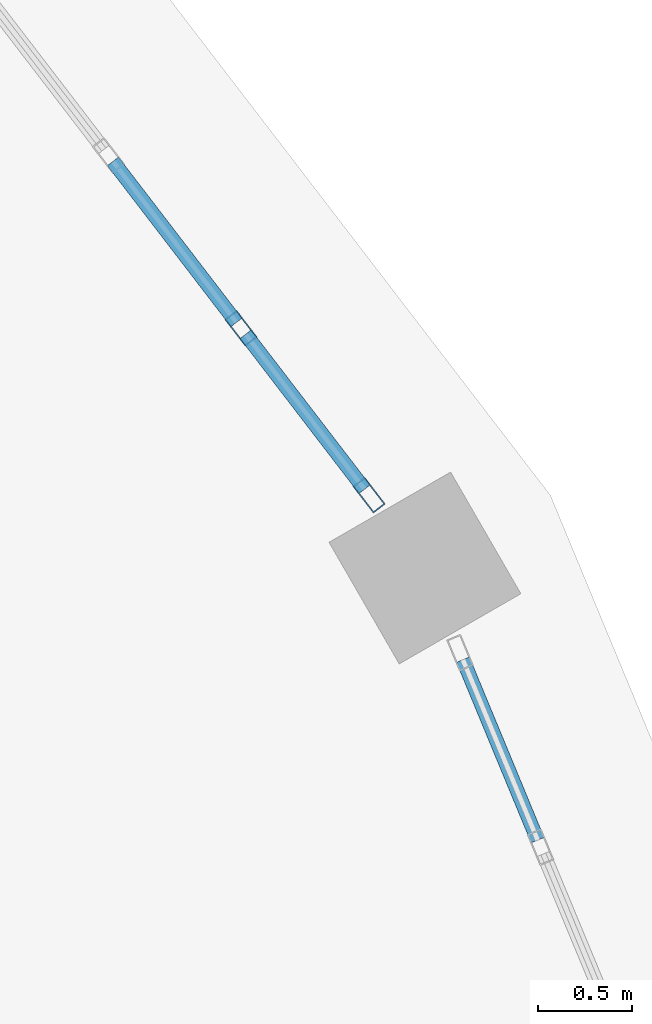
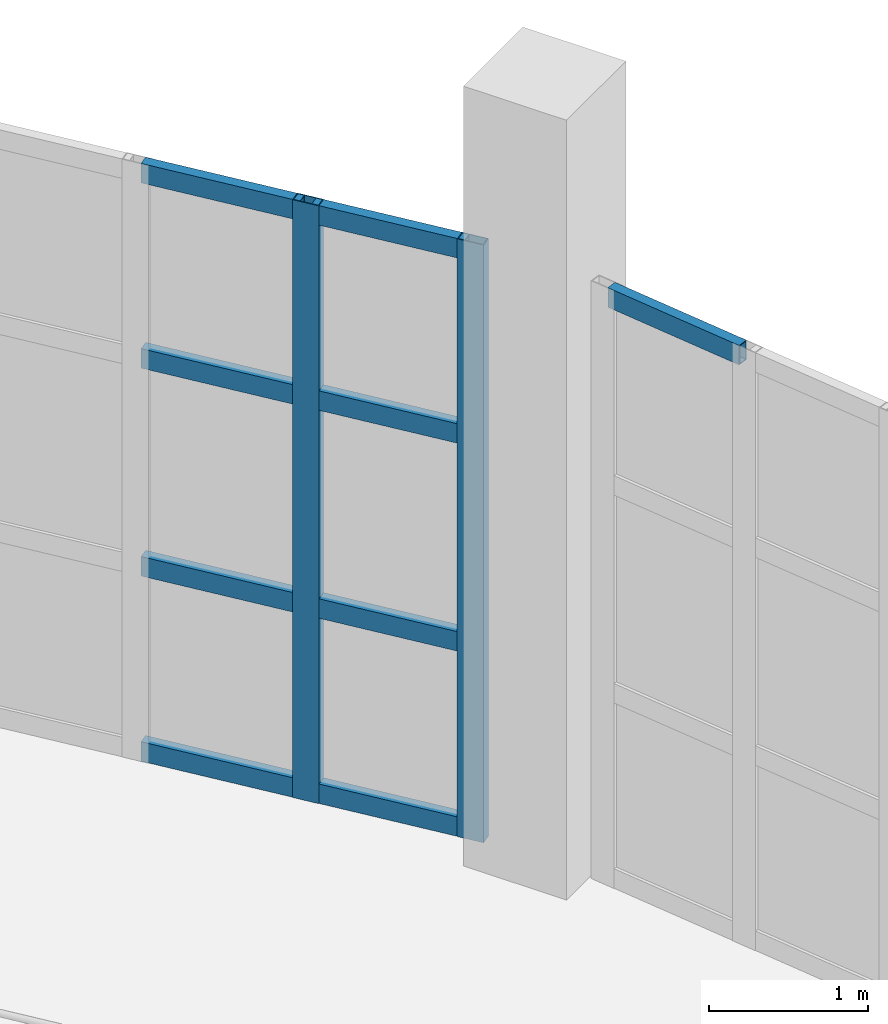
# One storey, part 33 of 59: 11 members, 2 elements without a shape of their own.
"""IFC4 building model written with IfcOpenShell, lengths in metres."""

from ifc_helpers import new_model, si_unit, direction, frame, origin, origin_2d, place, context, subcontext, project, spatial, hollow_rectangle, extrude, material, layer, layer_set, material_profile, profile_set, type_object, element, aggregate, save


model = new_model("IFC4")

# Units and contexts
model_context = context("Model", 3, precision=1e-05, world=origin(), true_north=direction((0.0, 1.0)))
body_context = subcontext(model_context, "Body", "Model", "MODEL_VIEW")
ifc_project = project(units=[si_unit("LENGTHUNIT", "METRE"), si_unit("AREAUNIT", "SQUARE_METRE"), si_unit("VOLUMEUNIT", "CUBIC_METRE"), si_unit("PLANEANGLEUNIT", "RADIAN"), si_unit("MASSUNIT", "GRAM", prefix="KILO")], contexts=[model_context])

# Site, building, storey
site_placement = place(None, origin())
site = spatial("IfcSite", under=ifc_project, at=site_placement, CompositionType="ELEMENT")
building_placement = place(site_placement, origin())
building = spatial("IfcBuilding", under=site, at=building_placement, Name="Kandorven Conservatory and Botanical Research Centre", CompositionType="ELEMENT")
storey_placement = place(building_placement, frame((0.0, 0.0, 4.800048828125)))
storey = spatial("IfcBuildingStorey", under=building, at=storey_placement, Name="L01", CompositionType="ELEMENT", Elevation=4.800048828125)

# Curtain wall, members
ifc_material_1 = material(Name="Bronze anodised thermally broken aluminium", Category="aluminium")
ifc_layer = layer(ifc_material_1, 0.179931640625)
ifc_layer_set = layer_set([ifc_layer], Name="Bronze anodised thermally broken aluminium")
curtain_wall_type = type_object("IfcCurtainWallType", Name="CW_Clerestory", PredefinedType="USERDEFINED", material=ifc_layer_set)
curtain_wall_1_placement = place(storey_placement, origin())
curtain_wall_1 = element("IfcCurtainWall", 1, at=curtain_wall_1_placement, inside=storey, type_object=curtain_wall_type, Name="Conservatory drum clerestory glazing CW-DRUM-L01-03", ObjectType="CLERESTORY GLAZING", PredefinedType="USERDEFINED")
ifc_material_2 = material(Name="Bronze anodised thermally broken aluminium", Category="aluminium")
ifc_material_profile_1 = material_profile(ifc_material_2, hollow_rectangle(XDim=0.080078125, YDim=0.179931640625, WallThickness=0.006103515625, at=origin_2d()))
ifc_profile_set_1 = profile_set([ifc_material_profile_1], Name="Bronze anodised thermally broken aluminium")
member_type_1 = type_object("IfcMemberType", Name="CW_Mullion", PredefinedType="MULLION", material=ifc_profile_set_1)
member_1_placement = place(storey_placement, frame((101.87255859375, 56.601318359375, 0.0), z_axis=(0.0, 0.0, 1.0), x_axis=(-0.793347276456, -0.608769331471, 0.0)))
member_1 = element("IfcMember", 2, at=member_1_placement, type_object=member_type_1, Name="CW-02 mullion 1", PredefinedType="MULLION", context=body_context, shape_type="SweptSolid", body=[
    extrude(hollow_rectangle(XDim=0.080078125, YDim=0.179931640625, WallThickness=0.006103515625, at=origin_2d()), origin(), (0.0, 0.0, 1.0), 4.599853515625),
])
member_2_placement = place(storey_placement, frame((101.188232421875, 57.492919921875, 0.0), z_axis=(0.0, 0.0, 1.0), x_axis=(-0.793347276456, -0.608769331471, 0.0)))
member_2 = element("IfcMember", 3, at=member_2_placement, type_object=member_type_1, Name="CW-02 mullion 2", PredefinedType="MULLION", context=body_context, shape_type="SweptSolid", body=[
    extrude(hollow_rectangle(XDim=0.080078125, YDim=0.179931640625, WallThickness=0.006103515625, at=origin_2d()), origin(), (0.0, 0.0, 1.0), 4.599853515625),
])

# Curtain wall, member
curtain_wall_2_placement = place(storey_placement, origin())
curtain_wall_2 = element("IfcCurtainWall", 4, at=curtain_wall_2_placement, inside=storey, type_object=curtain_wall_type, Name="Conservatory drum clerestory glazing CW-DRUM-L01-02", ObjectType="CLERESTORY GLAZING", PredefinedType="USERDEFINED")
ifc_material_3 = material(Name="Bronze anodised thermally broken aluminium", Category="aluminium")
ifc_material_profile_2 = material_profile(ifc_material_3, hollow_rectangle(XDim=0.074951171875, YDim=0.14990234375, WallThickness=0.006103515625, at=origin_2d()))
ifc_profile_set_2 = profile_set([ifc_material_profile_2], Name="Bronze anodised thermally broken aluminium")
member_type_2 = type_object("IfcMemberType", Name="CW_Transom", PredefinedType="USERDEFINED", material=ifc_profile_set_2)
member_3_placement = place(storey_placement, frame((102.773193359375, 54.75830078125, 4.52490234375), z_axis=(-0.382572095676, 0.923925641819, 0.0), x_axis=(-0.923925641819, -0.382572095676, 0.0)))
member_3 = element("IfcMember", 5, at=member_3_placement, type_object=member_type_2, Name="CW-02 transom 3.4", ObjectType="TRANSOM", PredefinedType="USERDEFINED", context=body_context, shape_type="SweptSolid", body=[
    extrude(hollow_rectangle(XDim=0.074951171875, YDim=0.14990234375, WallThickness=0.006103515625, at=origin_2d()), origin(), (0.0, 0.0, 1.0), 1.0439453125),
])
aggregate(curtain_wall_2, [member_3])

# Member
member_4_placement = place(storey_placement, frame((101.848388671875, 56.633056640625, 0.074951171875), z_axis=(-0.608941990108, 0.793214758236, 0.0), x_axis=(-0.793214758236, -0.608941990108, 0.0)))
member_4 = element("IfcMember", 6, at=member_4_placement, type_object=member_type_2, Name="CW-02 transom 1.1", ObjectType="TRANSOM", PredefinedType="USERDEFINED", context=body_context, shape_type="SweptSolid", body=[
    extrude(hollow_rectangle(XDim=0.074951171875, YDim=0.14990234375, WallThickness=0.006103515625, at=origin_2d()), origin(), (0.0, 0.0, 1.0), 1.0439453125),
])

member_5_placement = place(storey_placement, frame((101.848388671875, 56.633056640625, 1.5), z_axis=(-0.608941990108, 0.793214758236, 0.0), x_axis=(-0.793214758236, -0.608941990108, 0.0)))
member_5 = element("IfcMember", 7, at=member_5_placement, type_object=member_type_2, Name="CW-02 transom 1.2", ObjectType="TRANSOM", PredefinedType="USERDEFINED", context=body_context, shape_type="SweptSolid", body=[
    extrude(hollow_rectangle(XDim=0.074951171875, YDim=0.14990234375, WallThickness=0.006103515625, at=origin_2d()), origin(), (0.0, 0.0, 1.0), 1.0439453125),
])

member_6_placement = place(storey_placement, frame((101.848388671875, 56.633056640625, 3.099853515625), z_axis=(-0.608941990108, 0.793214758236, 0.0), x_axis=(-0.793214758236, -0.608941990108, 0.0)))
member_6 = element("IfcMember", 8, at=member_6_placement, type_object=member_type_2, Name="CW-02 transom 1.3", ObjectType="TRANSOM", PredefinedType="USERDEFINED", context=body_context, shape_type="SweptSolid", body=[
    extrude(hollow_rectangle(XDim=0.074951171875, YDim=0.14990234375, WallThickness=0.006103515625, at=origin_2d()), origin(), (0.0, 0.0, 1.0), 1.0439453125),
])

member_7_placement = place(storey_placement, frame((101.848388671875, 56.633056640625, 4.52490234375), z_axis=(-0.608941990108, 0.793214758236, 0.0), x_axis=(-0.793214758236, -0.608941990108, 0.0)))
member_7 = element("IfcMember", 9, at=member_7_placement, type_object=member_type_2, Name="CW-02 transom 1.4", ObjectType="TRANSOM", PredefinedType="USERDEFINED", context=body_context, shape_type="SweptSolid", body=[
    extrude(hollow_rectangle(XDim=0.074951171875, YDim=0.14990234375, WallThickness=0.006103515625, at=origin_2d()), origin(), (0.0, 0.0, 1.0), 1.0439453125),
])

member_8_placement = place(storey_placement, frame((101.1640625, 57.524658203125, 0.074951171875), z_axis=(-0.608861626468, 0.793276446023, 0.0), x_axis=(-0.793276446023, -0.608861626468, 0.0)))
member_8 = element("IfcMember", 10, at=member_8_placement, type_object=member_type_2, Name="CW-02 transom 2.1", ObjectType="TRANSOM", PredefinedType="USERDEFINED", context=body_context, shape_type="SweptSolid", body=[
    extrude(hollow_rectangle(XDim=0.074951171875, YDim=0.14990234375, WallThickness=0.006103515625, at=origin_2d()), origin(), (0.0, 0.0, 1.0), 1.084228515625),
])

member_9_placement = place(storey_placement, frame((101.1640625, 57.524658203125, 1.5), z_axis=(-0.608861626468, 0.793276446023, 0.0), x_axis=(-0.793276446023, -0.608861626468, 0.0)))
member_9 = element("IfcMember", 11, at=member_9_placement, type_object=member_type_2, Name="CW-02 transom 2.2", ObjectType="TRANSOM", PredefinedType="USERDEFINED", context=body_context, shape_type="SweptSolid", body=[
    extrude(hollow_rectangle(XDim=0.074951171875, YDim=0.14990234375, WallThickness=0.006103515625, at=origin_2d()), origin(), (0.0, 0.0, 1.0), 1.084228515625),
])

member_10_placement = place(storey_placement, frame((101.1640625, 57.524658203125, 3.099853515625), z_axis=(-0.608861626468, 0.793276446023, 0.0), x_axis=(-0.793276446023, -0.608861626468, 0.0)))
member_10 = element("IfcMember", 12, at=member_10_placement, type_object=member_type_2, Name="CW-02 transom 2.3", ObjectType="TRANSOM", PredefinedType="USERDEFINED", context=body_context, shape_type="SweptSolid", body=[
    extrude(hollow_rectangle(XDim=0.074951171875, YDim=0.14990234375, WallThickness=0.006103515625, at=origin_2d()), origin(), (0.0, 0.0, 1.0), 1.084228515625),
])

member_11_placement = place(storey_placement, frame((101.1640625, 57.524658203125, 4.52490234375), z_axis=(-0.608861626468, 0.793276446023, 0.0), x_axis=(-0.793276446023, -0.608861626468, 0.0)))
member_11 = element("IfcMember", 13, at=member_11_placement, type_object=member_type_2, Name="CW-02 transom 2.4", ObjectType="TRANSOM", PredefinedType="USERDEFINED", context=body_context, shape_type="SweptSolid", body=[
    extrude(hollow_rectangle(XDim=0.074951171875, YDim=0.14990234375, WallThickness=0.006103515625, at=origin_2d()), origin(), (0.0, 0.0, 1.0), 1.084228515625),
])

aggregate(curtain_wall_1, [member_1, member_2, member_4, member_5, member_6, member_7, member_8, member_9, member_10, member_11])

save(model, "model.ifc")
